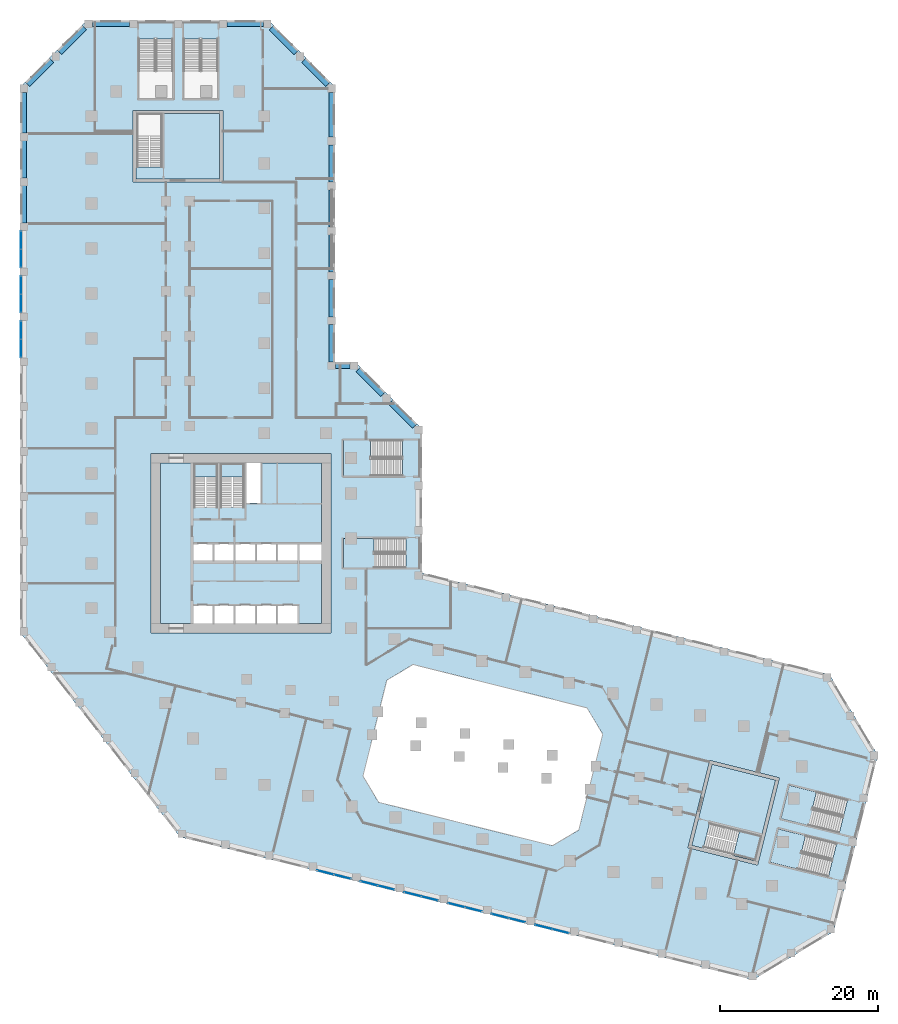
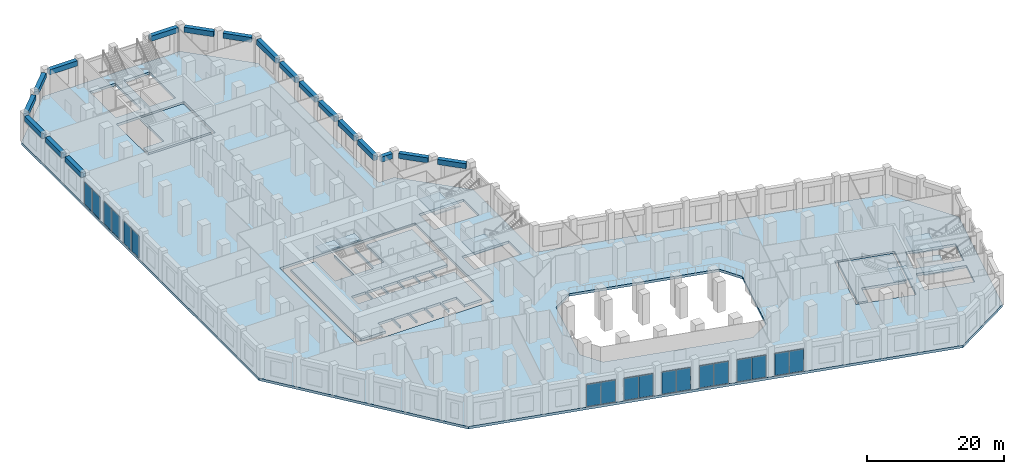
# One storey, part 7 of 23: 18 beams, 18 plates, 11 slabs, 16 elements without a shape of their own.
"""IFC4 building model written with IfcOpenShell, lengths in metres."""

from ifc_helpers import new_model, si_unit, direction, frame, origin, origin_2d, place, context, subcontext, project, spatial, polyline, rectangle, outline, extrude, material, layer, layer_set, material_profile, profile_set, type_object, element, aggregate, save


model = new_model("IFC4")

# Units and contexts
model_context = context("Model", 3, precision=1e-05, world=origin(), true_north=direction((0.0, 1.0)))
body_context = subcontext(model_context, "Body", "Model", "MODEL_VIEW")
ifc_project = project(units=[si_unit("LENGTHUNIT", "METRE"), si_unit("AREAUNIT", "SQUARE_METRE"), si_unit("VOLUMEUNIT", "CUBIC_METRE"), si_unit("PLANEANGLEUNIT", "RADIAN"), si_unit("MASSUNIT", "GRAM", prefix="KILO")], contexts=[model_context])

# Site, building, storey
site_placement = place(None, origin())
site = spatial("IfcSite", under=ifc_project, at=site_placement, CompositionType="ELEMENT")
building_placement = place(site_placement, origin())
building = spatial("IfcBuilding", under=site, at=building_placement, Name="Meshkara Civic Tower", CompositionType="ELEMENT")
storey_placement = place(building_placement, frame((0.0, 0.0, 7.199951171875)))
storey = spatial("IfcBuildingStorey", under=building, at=storey_placement, Name="L01", CompositionType="ELEMENT", Elevation=7.199951171875)

# Beams
ifc_material_1 = material(Name="Concrete C60", Category="concrete")
ifc_material_profile = material_profile(ifc_material_1, rectangle(XDim=0.699951171875, YDim=0.89990234375, at=origin_2d()))
ifc_profile_set = profile_set([ifc_material_profile], Name="Concrete C60")
beam_type = type_object("IfcBeamType", Name="Spandrel beam RC 700x900 C60", PredefinedType="BEAM", material=ifc_profile_set)
beam_1_placement = place(storey_placement, frame((30.403564453125, 83.652587890625, 4.5), z_axis=(-0.707135193312, 0.707078367919, 0.0), x_axis=(-0.707078367919, -0.707135193312, 0.0)))
element("IfcBeam", 1, at=beam_1_placement, inside=storey, type_object=beam_type, Name="Spandrel beam PD12-E-PD13-01", PredefinedType="BEAM", context=body_context, shape_type="SweptSolid", body=[
    extrude(rectangle(XDim=0.699951171875, YDim=0.89990234375, at=origin_2d()), origin(), (0.0, 0.0, 1.0), 4.29638671875),
])
beam_2_placement = place(storey_placement, frame((26.37255859375, 87.68359375, 4.5), z_axis=(-0.707134269933, 0.707079291371, 0.0), x_axis=(-0.707079291371, -0.707134269933, 0.0)))
element("IfcBeam", 2, at=beam_2_placement, inside=storey, type_object=beam_type, Name="Spandrel beam PD00-E-PD13-01", PredefinedType="BEAM", context=body_context, shape_type="SweptSolid", body=[
    extrude(rectangle(XDim=0.699951171875, YDim=0.89990234375, at=origin_2d()), origin(), (0.0, 0.0, 1.0), 4.440673828125),
])
beam_3_placement = place(storey_placement, frame((22.240966796875, 91.320068359375, 4.5), z_axis=(-1.0, 0.0, 0.0), x_axis=(0.0, -1.0, 0.0)))
element("IfcBeam", 3, at=beam_3_placement, inside=storey, type_object=beam_type, Name="Spandrel beam PD00-03-PD00-E", PredefinedType="BEAM", context=body_context, shape_type="SweptSolid", body=[
    extrude(rectangle(XDim=0.699951171875, YDim=0.89990234375, at=origin_2d()), origin(), (0.0, 0.0, 1.0), 4.58203125),
])
beam_4_placement = place(storey_placement, frame((5.26904296875, 91.320068359375, 4.5), z_axis=(-1.0, 0.0, 0.0), x_axis=(0.0, -1.0, 0.0)))
element("IfcBeam", 4, at=beam_4_placement, inside=storey, type_object=beam_type, Name="Spandrel beam PD00-00-PD00-01", PredefinedType="BEAM", context=body_context, shape_type="SweptSolid", body=[
    extrude(rectangle(XDim=0.699951171875, YDim=0.89990234375, at=origin_2d()), origin(), (0.0, 0.0, 1.0), 4.7099609375),
])
beam_5_placement = place(storey_placement, frame((-0.4326171875, 90.823486328125, 4.5), z_axis=(-0.707106781187, -0.707106781187, 0.0), x_axis=(0.707106781187, -0.707106781187, 0.0)))
element("IfcBeam", 5, at=beam_5_placement, inside=storey, type_object=beam_type, Name="Spandrel beam PD00-00-PD01-01", PredefinedType="BEAM", context=body_context, shape_type="SweptSolid", body=[
    extrude(rectangle(XDim=0.699951171875, YDim=0.89990234375, at=origin_2d()), origin(), (0.0, 0.0, 1.0), 4.4404296875),
])
beam_6_placement = place(storey_placement, frame((-4.5654296875, 86.6904296875, 4.5), z_axis=(-0.707135193312, -0.707078367919, 0.0), x_axis=(0.707078367919, -0.707135193312, 0.0)))
element("IfcBeam", 6, at=beam_6_placement, inside=storey, type_object=beam_type, Name="Spandrel beam PD01-00-PD01-01", PredefinedType="BEAM", context=body_context, shape_type="SweptSolid", body=[
    extrude(rectangle(XDim=0.699951171875, YDim=0.89990234375, at=origin_2d()), origin(), (0.0, 0.0, 1.0), 4.29638671875),
])
beam_7_placement = place(storey_placement, frame((-8.10009765625, 82.660888671875, 4.5), z_axis=(0.0, -1.0, 0.0), x_axis=(1.0, 0.0, 0.0)))
element("IfcBeam", 7, at=beam_7_placement, inside=storey, type_object=beam_type, Name="Spandrel beam PD01-00-PD02-11", PredefinedType="BEAM", context=body_context, shape_type="SweptSolid", body=[
    extrude(rectangle(XDim=0.699951171875, YDim=0.89990234375, at=origin_2d()), origin(), (0.0, 0.0, 1.0), 5.15478515625),
])
beam_8_placement = place(storey_placement, frame((-8.10009765625, 76.51611328125, 4.5), z_axis=(0.0, -1.0, 0.0), x_axis=(1.0, 0.0, 0.0)))
element("IfcBeam", 8, at=beam_8_placement, inside=storey, type_object=beam_type, Name="Spandrel beam PD02-10-PD02-11", PredefinedType="BEAM", context=body_context, shape_type="SweptSolid", body=[
    extrude(rectangle(XDim=0.699951171875, YDim=0.89990234375, at=origin_2d()), origin(), (0.0, 0.0, 1.0), 4.710205078125),
])
beam_9_placement = place(storey_placement, frame((-8.10009765625, 70.81591796875, 4.5), z_axis=(0.0, -1.0, 0.0), x_axis=(1.0, 0.0, 0.0)))
element("IfcBeam", 9, at=beam_9_placement, inside=storey, type_object=beam_type, Name="Spandrel beam PD02-09-PD02-10", PredefinedType="BEAM", context=body_context, shape_type="SweptSolid", body=[
    extrude(rectangle(XDim=0.699951171875, YDim=0.89990234375, at=origin_2d()), origin(), (0.0, 0.0, 1.0), 4.7099609375),
])
beam_10_placement = place(storey_placement, frame((41.403564453125, 40.33251953125, 4.5), z_axis=(-0.707106781187, 0.707106781187, 0.0), x_axis=(-0.707106781187, -0.707106781187, 0.0)))
element("IfcBeam", 10, at=beam_10_placement, inside=storey, type_object=beam_type, Name="Spandrel beam PD09-E-PD10-01", PredefinedType="BEAM", context=body_context, shape_type="SweptSolid", body=[
    extrude(rectangle(XDim=0.699951171875, YDim=0.89990234375, at=origin_2d()), origin(), (0.0, 0.0, 1.0), 4.29638671875),
])
beam_11_placement = place(storey_placement, frame((37.37255859375, 44.363525390625, 4.5), z_axis=(-0.707134269933, 0.707079291371, 0.0), x_axis=(-0.707079291371, -0.707134269933, 0.0)))
element("IfcBeam", 11, at=beam_11_placement, inside=storey, type_object=beam_type, Name="Spandrel beam PD10-01-PD10-E", PredefinedType="BEAM", context=body_context, shape_type="SweptSolid", body=[
    extrude(rectangle(XDim=0.699951171875, YDim=0.89990234375, at=origin_2d()), origin(), (0.0, 0.0, 1.0), 4.440673828125),
])
beam_12_placement = place(storey_placement, frame((33.240966796875, 48.0, 4.5), z_axis=(-1.0, 0.0, 0.0), x_axis=(0.0, -1.0, 0.0)))
element("IfcBeam", 12, at=beam_12_placement, inside=storey, type_object=beam_type, Name="Spandrel beam PD10-E-PD11-00", PredefinedType="BEAM", context=body_context, shape_type="SweptSolid", body=[
    extrude(rectangle(XDim=0.699951171875, YDim=0.89990234375, at=origin_2d()), origin(), (0.0, 0.0, 1.0), 1.845947265625),
])
for number, where, z_axis, x_axis, name in (
    (13, (30.89990234375, 48.4951171875, 4.5), (0.0, 1.0, 0.0), (-1.0, 0.0, 0.0), "Spandrel beam PD11-00-PD12-01"),
    (14, (30.89990234375, 54.195068359375, 4.5), (0.0, 1.0, 0.0), (-1.0, 0.0, 0.0), "Spandrel beam PD12-01-PD12-02"),
    (15, (30.89990234375, 59.89501953125, 4.5), (0.0, 1.0, 0.0), (-1.0, 0.0, 0.0), "Spandrel beam PD12-02-PD12-03"),
    (16, (30.89990234375, 65.594970703125, 4.5), (0.0, 1.0, 0.0), (-1.0, 0.0, 0.0), "Spandrel beam PD12-03-PD12-04"),
    (17, (30.89990234375, 71.294921875, 4.5), (0.0, 1.0, 0.0), (-1.0, 0.0, 0.0), "Spandrel beam PD12-04-PD12-05"),
):
    element("IfcBeam", number, at=place(storey_placement, frame(where, z_axis=z_axis, x_axis=x_axis)), inside=storey, type_object=beam_type, Name=name, PredefinedType="BEAM", context=body_context, shape_type="SweptSolid", body=[
        extrude(rectangle(XDim=0.699951171875, YDim=0.89990234375, at=origin_2d()), origin(), (0.0, 0.0, 1.0), 4.7099609375),
    ])
beam_13_placement = place(storey_placement, frame((30.89990234375, 76.9951171875, 4.5), z_axis=(0.0, 1.0, 0.0), x_axis=(-1.0, 0.0, 0.0)))
element("IfcBeam", 18, at=beam_13_placement, inside=storey, type_object=beam_type, Name="Spandrel beam PD12-05-PD12-E", PredefinedType="BEAM", context=body_context, shape_type="SweptSolid", body=[
    extrude(rectangle(XDim=0.699951171875, YDim=0.89990234375, at=origin_2d()), origin(), (0.0, 0.0, 1.0), 5.665771484375),
])

# Curtain wall, plates
ifc_material_2 = material(Name="Tinted double glazing", Category="glass")
curtain_wall_type_1 = type_object("IfcCurtainWallType", Name="CW POOL PAVILION AND FOYER", PredefinedType="NOTDEFINED", material=ifc_material_2)
curtain_wall_1_placement = place(storey_placement, origin())
curtain_wall_1 = element("IfcCurtainWall", 19, at=curtain_wall_1_placement, inside=storey, type_object=curtain_wall_type_1, Name="Curtain wall CW4", PredefinedType="NOTDEFINED")
ifc_material_3 = material(Name="Tinted double glazing", Category="glass")
ifc_layer_1 = layer(ifc_material_3, 0.028076171875)
ifc_layer_set_1 = layer_set([ifc_layer_1], Name="CW PANEL IGU 28")
plate_type = type_object("IfcPlateType", Name="CW PANEL IGU 28", PredefinedType="CURTAIN_PANEL", material=ifc_layer_set_1)
plate_1_placement = place(storey_placement, frame((-8.469970703125, 63.9208984375, 0.06005859375), z_axis=(0.0, 0.0, 1.0), x_axis=(0.0, -1.0, 0.0)))
plate_1 = element("IfcPlate", 20, at=plate_1_placement, type_object=plate_type, Name="CW4 panel 1.1", PredefinedType="CURTAIN_PANEL", context=body_context, shape_type="SweptSolid", body=[
    extrude(rectangle(XDim=2.260009765625, YDim=0.028076171875, at=origin_2d()), origin(), (0.0, 0.0, 1.0), 3.929931640625),
])
plate_2_placement = place(storey_placement, frame((-8.469970703125, 61.60107421875, 0.06005859375), z_axis=(0.0, 0.0, 1.0), x_axis=(0.0, -1.0, 0.0)))
plate_2 = element("IfcPlate", 21, at=plate_2_placement, type_object=plate_type, Name="CW4 panel 2.1", PredefinedType="CURTAIN_PANEL", context=body_context, shape_type="SweptSolid", body=[
    extrude(rectangle(XDim=2.260009765625, YDim=0.028076171875, at=origin_2d()), origin(), (0.0, 0.0, 1.0), 3.929931640625),
])
aggregate(curtain_wall_1, [plate_1, plate_2])

curtain_wall_2_placement = place(storey_placement, origin())
curtain_wall_2 = element("IfcCurtainWall", 22, at=curtain_wall_2_placement, inside=storey, type_object=curtain_wall_type_1, Name="Curtain wall CW4", PredefinedType="NOTDEFINED")
plate_3_placement = place(storey_placement, frame((-8.469970703125, 58.220947265625, 0.06005859375), z_axis=(0.0, 0.0, 1.0), x_axis=(0.0, -1.0, 0.0)))
plate_3 = element("IfcPlate", 23, at=plate_3_placement, type_object=plate_type, Name="CW4 panel 1.1", PredefinedType="CURTAIN_PANEL", context=body_context, shape_type="SweptSolid", body=[
    extrude(rectangle(XDim=2.260009765625, YDim=0.028076171875, at=origin_2d()), origin(), (0.0, 0.0, 1.0), 3.929931640625),
])
plate_4_placement = place(storey_placement, frame((-8.469970703125, 55.90087890625, 0.06005859375), z_axis=(0.0, 0.0, 1.0), x_axis=(0.0, -1.0, 0.0)))
plate_4 = element("IfcPlate", 24, at=plate_4_placement, type_object=plate_type, Name="CW4 panel 2.1", PredefinedType="CURTAIN_PANEL", context=body_context, shape_type="SweptSolid", body=[
    extrude(rectangle(XDim=2.260009765625, YDim=0.028076171875, at=origin_2d()), origin(), (0.0, 0.0, 1.0), 3.929931640625),
])
aggregate(curtain_wall_2, [plate_3, plate_4])

curtain_wall_3_placement = place(storey_placement, origin())
curtain_wall_3 = element("IfcCurtainWall", 25, at=curtain_wall_3_placement, inside=storey, type_object=curtain_wall_type_1, Name="Curtain wall CW4", PredefinedType="NOTDEFINED")
plate_5_placement = place(storey_placement, frame((-8.469970703125, 52.52099609375, 0.06005859375), z_axis=(0.0, 0.0, 1.0), x_axis=(0.0, -1.0, 0.0)))
plate_5 = element("IfcPlate", 26, at=plate_5_placement, type_object=plate_type, Name="CW4 panel 1.1", PredefinedType="CURTAIN_PANEL", context=body_context, shape_type="SweptSolid", body=[
    extrude(rectangle(XDim=2.260009765625, YDim=0.028076171875, at=origin_2d()), origin(), (0.0, 0.0, 1.0), 3.929931640625),
])
plate_6_placement = place(storey_placement, frame((-8.469970703125, 50.200927734375, 0.06005859375), z_axis=(0.0, 0.0, 1.0), x_axis=(0.0, -1.0, 0.0)))
plate_6 = element("IfcPlate", 27, at=plate_6_placement, type_object=plate_type, Name="CW4 panel 2.1", PredefinedType="CURTAIN_PANEL", context=body_context, shape_type="SweptSolid", body=[
    extrude(rectangle(XDim=2.260009765625, YDim=0.028076171875, at=origin_2d()), origin(), (0.0, 0.0, 1.0), 3.929931640625),
])
aggregate(curtain_wall_3, [plate_5, plate_6])

ifc_material_4 = material(Name="Tinted double glazing", Category="glass")
curtain_wall_type_2 = type_object("IfcCurtainWallType", Name="CW SERVICE HALL FRONT", PredefinedType="NOTDEFINED", material=ifc_material_4)
curtain_wall_4_placement = place(storey_placement, origin())
curtain_wall_4 = element("IfcCurtainWall", 28, at=curtain_wall_4_placement, inside=storey, type_object=curtain_wall_type_2, Name="Curtain wall CW1", PredefinedType="NOTDEFINED")
plate_7_placement = place(storey_placement, frame((30.1201171875, -16.239013671875, 0.06005859375), z_axis=(0.0, 0.0, 1.0), x_axis=(0.970273444594, -0.24201124502, 0.0)))
plate_7 = element("IfcPlate", 29, at=plate_7_placement, type_object=plate_type, Name="CW1 panel 1.1", PredefinedType="CURTAIN_PANEL", context=body_context, shape_type="SweptSolid", body=[
    extrude(rectangle(XDim=2.15380859375, YDim=0.028076171875, at=origin_2d()), origin(), (0.0, 0.0, 1.0), 3.929931640625),
])
plate_8_placement = place(storey_placement, frame((32.26806640625, -16.77490234375, 0.06005859375), z_axis=(0.0, 0.0, 1.0), x_axis=(0.970273444594, -0.24201124502, 0.0)))
plate_8 = element("IfcPlate", 30, at=plate_8_placement, type_object=plate_type, Name="CW1 panel 2.1", PredefinedType="CURTAIN_PANEL", context=body_context, shape_type="SweptSolid", body=[
    extrude(rectangle(XDim=2.15380859375, YDim=0.028076171875, at=origin_2d()), origin(), (0.0, 0.0, 1.0), 3.929931640625),
])
aggregate(curtain_wall_4, [plate_7, plate_8])

curtain_wall_5_placement = place(storey_placement, origin())
curtain_wall_5 = element("IfcCurtainWall", 31, at=curtain_wall_5_placement, inside=storey, type_object=curtain_wall_type_2, Name="Curtain wall CW1", PredefinedType="NOTDEFINED")
plate_9_placement = place(storey_placement, frame((35.651123046875, -17.6181640625, 0.06005859375), z_axis=(0.0, 0.0, 1.0), x_axis=(0.970273444594, -0.24201124502, 0.0)))
plate_9 = element("IfcPlate", 32, at=plate_9_placement, type_object=plate_type, Name="CW1 panel 1.1", PredefinedType="CURTAIN_PANEL", context=body_context, shape_type="SweptSolid", body=[
    extrude(rectangle(XDim=2.15380859375, YDim=0.028076171875, at=origin_2d()), origin(), (0.0, 0.0, 1.0), 3.929931640625),
])
plate_10_placement = place(storey_placement, frame((37.798828125, -18.15380859375, 0.06005859375), z_axis=(0.0, 0.0, 1.0), x_axis=(0.970273444594, -0.24201124502, 0.0)))
plate_10 = element("IfcPlate", 33, at=plate_10_placement, type_object=plate_type, Name="CW1 panel 2.1", PredefinedType="CURTAIN_PANEL", context=body_context, shape_type="SweptSolid", body=[
    extrude(rectangle(XDim=2.15380859375, YDim=0.028076171875, at=origin_2d()), origin(), (0.0, 0.0, 1.0), 3.929931640625),
])
aggregate(curtain_wall_5, [plate_9, plate_10])

curtain_wall_6_placement = place(storey_placement, origin())
curtain_wall_6 = element("IfcCurtainWall", 34, at=curtain_wall_6_placement, inside=storey, type_object=curtain_wall_type_2, Name="Curtain wall CW1", PredefinedType="NOTDEFINED")
plate_11_placement = place(storey_placement, frame((41.18115234375, -18.9970703125, 0.06005859375), z_axis=(0.0, 0.0, 1.0), x_axis=(0.970273444594, -0.24201124502, 0.0)))
plate_11 = element("IfcPlate", 35, at=plate_11_placement, type_object=plate_type, Name="CW1 panel 1.1", PredefinedType="CURTAIN_PANEL", context=body_context, shape_type="SweptSolid", body=[
    extrude(rectangle(XDim=2.15380859375, YDim=0.028076171875, at=origin_2d()), origin(), (0.0, 0.0, 1.0), 3.929931640625),
])
plate_12_placement = place(storey_placement, frame((43.328857421875, -19.532958984375, 0.06005859375), z_axis=(0.0, 0.0, 1.0), x_axis=(0.970273444594, -0.24201124502, 0.0)))
plate_12 = element("IfcPlate", 36, at=plate_12_placement, type_object=plate_type, Name="CW1 panel 2.1", PredefinedType="CURTAIN_PANEL", context=body_context, shape_type="SweptSolid", body=[
    extrude(rectangle(XDim=2.15380859375, YDim=0.028076171875, at=origin_2d()), origin(), (0.0, 0.0, 1.0), 3.929931640625),
])
aggregate(curtain_wall_6, [plate_11, plate_12])

curtain_wall_7_placement = place(storey_placement, origin())
curtain_wall_7 = element("IfcCurtainWall", 37, at=curtain_wall_7_placement, inside=storey, type_object=curtain_wall_type_2, Name="Curtain wall CW1", PredefinedType="NOTDEFINED")
plate_13_placement = place(storey_placement, frame((46.712158203125, -20.376220703125, 0.06005859375), z_axis=(0.0, 0.0, 1.0), x_axis=(0.970273444594, -0.24201124502, 0.0)))
plate_13 = element("IfcPlate", 38, at=plate_13_placement, type_object=plate_type, Name="CW1 panel 1.1", PredefinedType="CURTAIN_PANEL", context=body_context, shape_type="SweptSolid", body=[
    extrude(rectangle(XDim=2.15380859375, YDim=0.028076171875, at=origin_2d()), origin(), (0.0, 0.0, 1.0), 3.929931640625),
])
plate_14_placement = place(storey_placement, frame((48.85986328125, -20.911865234375, 0.06005859375), z_axis=(0.0, 0.0, 1.0), x_axis=(0.970273444594, -0.24201124502, 0.0)))
plate_14 = element("IfcPlate", 39, at=plate_14_placement, type_object=plate_type, Name="CW1 panel 2.1", PredefinedType="CURTAIN_PANEL", context=body_context, shape_type="SweptSolid", body=[
    extrude(rectangle(XDim=2.15380859375, YDim=0.028076171875, at=origin_2d()), origin(), (0.0, 0.0, 1.0), 3.929931640625),
])
aggregate(curtain_wall_7, [plate_13, plate_14])

curtain_wall_8_placement = place(storey_placement, origin())
curtain_wall_8 = element("IfcCurtainWall", 40, at=curtain_wall_8_placement, inside=storey, type_object=curtain_wall_type_2, Name="Curtain wall CW1", PredefinedType="NOTDEFINED")
plate_15_placement = place(storey_placement, frame((52.2431640625, -21.755126953125, 0.06005859375), z_axis=(0.0, 0.0, 1.0), x_axis=(0.970273444594, -0.24201124502, 0.0)))
plate_15 = element("IfcPlate", 41, at=plate_15_placement, type_object=plate_type, Name="CW1 panel 1.1", PredefinedType="CURTAIN_PANEL", context=body_context, shape_type="SweptSolid", body=[
    extrude(rectangle(XDim=2.15380859375, YDim=0.028076171875, at=origin_2d()), origin(), (0.0, 0.0, 1.0), 3.929931640625),
])
plate_16_placement = place(storey_placement, frame((54.390869140625, -22.290771484375, 0.06005859375), z_axis=(0.0, 0.0, 1.0), x_axis=(0.970273444594, -0.24201124502, 0.0)))
plate_16 = element("IfcPlate", 42, at=plate_16_placement, type_object=plate_type, Name="CW1 panel 2.1", PredefinedType="CURTAIN_PANEL", context=body_context, shape_type="SweptSolid", body=[
    extrude(rectangle(XDim=2.15380859375, YDim=0.028076171875, at=origin_2d()), origin(), (0.0, 0.0, 1.0), 3.929931640625),
])
aggregate(curtain_wall_8, [plate_15, plate_16])

curtain_wall_9_placement = place(storey_placement, origin())
curtain_wall_9 = element("IfcCurtainWall", 43, at=curtain_wall_9_placement, inside=storey, type_object=curtain_wall_type_2, Name="Curtain wall CW1", PredefinedType="NOTDEFINED")
plate_17_placement = place(storey_placement, frame((57.77392578125, -23.1337890625, 0.06005859375), z_axis=(0.0, 0.0, 1.0), x_axis=(0.970312718585, -0.241853732973, 0.0)))
plate_17 = element("IfcPlate", 44, at=plate_17_placement, type_object=plate_type, Name="CW1 panel 1.1", PredefinedType="CURTAIN_PANEL", context=body_context, shape_type="SweptSolid", body=[
    extrude(rectangle(XDim=2.153076171875, YDim=0.028076171875, at=origin_2d()), origin(), (0.0, 0.0, 1.0), 3.929931640625),
])
plate_18_placement = place(storey_placement, frame((59.921142578125, -23.669189453125, 0.06005859375), z_axis=(0.0, 0.0, 1.0), x_axis=(0.970312718585, -0.241853732973, 0.0)))
plate_18 = element("IfcPlate", 45, at=plate_18_placement, type_object=plate_type, Name="CW1 panel 2.1", PredefinedType="CURTAIN_PANEL", context=body_context, shape_type="SweptSolid", body=[
    extrude(rectangle(XDim=2.153076171875, YDim=0.028076171875, at=origin_2d()), origin(), (0.0, 0.0, 1.0), 3.929931640625),
])
aggregate(curtain_wall_9, [plate_17, plate_18])

# Slabs
ifc_material_5 = material(Name="Concrete C40/50", Category="concrete")
ifc_layer_2 = layer(ifc_material_5, 0.449951171875)
ifc_layer_set_2 = layer_set([ifc_layer_2], Name="Core floor slab 450 C40/50")
slab_type_1 = type_object("IfcSlabType", Name="Core floor slab 450 C40/50", PredefinedType="FLOOR", material=ifc_layer_set_2)
slab_1_placement = place(storey_placement, frame((0.0, 0.0, -0.449951171875)))
element("IfcSlab", 46, at=slab_1_placement, inside=storey, type_object=slab_type_1, Name="Core floor K", PredefinedType="FLOOR", context=body_context, shape_type="SweptSolid", body=[
    extrude(outline(polyline([(9.199951171875, 35.699951171875), (13.39990234375, 35.699951171875), (13.39990234375, 30.00146484375), (16.5, 30.00146484375), (16.5, 35.699951171875), (16.699951171875, 35.699951171875), (16.699951171875, 30.00146484375), (19.89990234375, 30.00146484375), (19.89990234375, 35.699951171875), (20.10009765625, 35.699951171875), (20.10009765625, 30.574951171875), (21.925048828125, 30.574951171875), (21.925048828125, 35.699951171875), (29.60009765625, 35.699951171875), (29.60009765625, 25.39990234375), (26.800048828125, 25.39990234375), (26.800048828125, 23.300048828125), (29.60009765625, 23.300048828125), (29.60009765625, 15.300048828125), (26.60009765625, 15.300048828125), (26.60009765625, 17.60009765625), (24.10009765625, 17.60009765625), (24.10009765625, 15.300048828125), (23.89990234375, 15.300048828125), (23.89990234375, 17.60009765625), (21.39990234375, 17.60009765625), (21.39990234375, 15.300048828125), (21.199951171875, 15.300048828125), (21.199951171875, 17.60009765625), (18.699951171875, 17.60009765625), (18.699951171875, 15.300048828125), (18.5, 15.300048828125), (18.5, 17.60009765625), (16.0, 17.60009765625), (16.0, 15.300048828125), (15.800048828125, 15.300048828125), (15.800048828125, 17.60009765625), (13.39990234375, 17.60009765625), (13.39990234375, 15.300048828125), (9.199951171875, 15.300048828125), (9.199951171875, 35.699951171875)]), holes=[polyline([(13.39990234375, 25.39990234375), (13.39990234375, 23.300048828125), (15.800048828125, 23.300048828125), (15.800048828125, 25.39990234375), (13.39990234375, 25.39990234375)]), polyline([(18.5, 23.300048828125), (18.5, 25.39990234375), (16.0, 25.39990234375), (16.0, 23.300048828125), (18.5, 23.300048828125)]), polyline([(18.699951171875, 25.39990234375), (18.699951171875, 23.300048828125), (21.199951171875, 23.300048828125), (21.199951171875, 25.39990234375), (18.699951171875, 25.39990234375)]), polyline([(23.89990234375, 23.300048828125), (23.89990234375, 25.39990234375), (21.39990234375, 25.39990234375), (21.39990234375, 23.300048828125), (23.89990234375, 23.300048828125)]), polyline([(26.60009765625, 23.300048828125), (26.60009765625, 25.39990234375), (24.10009765625, 25.39990234375), (24.10009765625, 23.300048828125), (26.60009765625, 23.300048828125)])]), origin(), (0.0, 0.0, 1.0), 0.449951171875),
])
slab_2_placement = place(storey_placement, frame((0.0, 0.0, -0.449951171875)))
element("IfcSlab", 47, at=slab_2_placement, inside=storey, type_object=slab_type_1, Name="Core floor EA", PredefinedType="FLOOR", context=body_context, shape_type="SweptSolid", body=[
    extrude(outline(polyline([(16.699951171875, 71.669921875), (16.699951171875, 79.969970703125), (9.5, 79.969970703125), (9.5, 73.17138671875), (6.10009765625, 73.17138671875), (6.10009765625, 71.669921875), (16.699951171875, 71.669921875)])), origin(), (0.0, 0.0, 1.0), 0.449951171875),
])
slab_3_placement = place(storey_placement, frame((0.0, 0.0, -0.449951171875)))
element("IfcSlab", 48, at=slab_3_placement, inside=storey, type_object=slab_type_1, Name="Core floor EB", PredefinedType="FLOOR", context=body_context, shape_type="SweptSolid", body=[
    extrude(outline(polyline([(79.11181640625, -2.513671875), (87.165283203125, -4.521484375), (85.423583984375, -11.507568359375), (78.826904296875, -9.863037109375), (78.00439453125, -13.161865234375), (76.547607421875, -12.798583984375), (79.11181640625, -2.513671875)])), origin(), (0.0, 0.0, 1.0), 0.449951171875),
])

# Stair, slab
ifc_material_6 = material(Name="Precast concrete C40/50", Category="concrete")
stair_type_1 = type_object("IfcStairType", Name="Exit stair half-turn 30 risers precast", PredefinedType="HALF_TURN_STAIR", material=ifc_material_6)
stair_1_placement = place(storey_placement, origin())
stair_1 = element("IfcStair", 49, at=stair_1_placement, inside=storey, type_object=stair_type_1, Name="L01 exit stair 1", PredefinedType="HALF_TURN_STAIR")
ifc_material_7 = material(Name="Precast concrete C40/50", Category="concrete")
ifc_layer_3 = layer(ifc_material_7, 0.199951171875)
ifc_layer_set_3 = layer_set([ifc_layer_3], Name="Exit stair landing 200")
slab_type_2 = type_object("IfcSlabType", Name="Exit stair landing 200", PredefinedType="LANDING", material=ifc_layer_set_3)
slab_4_placement = place(storey_placement, frame((0.0, 0.0, 2.5)))
slab_4 = element("IfcSlab", 50, at=slab_4_placement, type_object=slab_type_2, Name="ST1 landing 1", PredefinedType="LANDING", context=body_context, shape_type="SweptSolid", body=[
    extrude(outline(polyline([(16.5, 33.91845703125), (16.5, 35.699951171875), (13.39990234375, 35.699951171875), (13.39990234375, 33.91845703125), (16.5, 33.91845703125)])), origin(), (0.0, 0.0, 1.0), 0.199951171875),
])
aggregate(stair_1, [slab_4])

stair_2_placement = place(storey_placement, origin())
stair_2 = element("IfcStair", 51, at=stair_2_placement, inside=storey, type_object=stair_type_1, Name="L01 exit stair 2", PredefinedType="HALF_TURN_STAIR")
slab_5_placement = place(storey_placement, frame((0.0, 0.0, 2.5)))
slab_5 = element("IfcSlab", 52, at=slab_5_placement, type_object=slab_type_2, Name="ST2 landing 1", PredefinedType="LANDING", context=body_context, shape_type="SweptSolid", body=[
    extrude(outline(polyline([(19.89990234375, 33.91845703125), (19.89990234375, 35.699951171875), (16.699951171875, 35.699951171875), (16.699951171875, 33.91845703125), (19.89990234375, 33.91845703125)])), origin(), (0.0, 0.0, 1.0), 0.199951171875),
])
aggregate(stair_2, [slab_5])

ifc_material_8 = material(Name="Precast concrete C40/50", Category="concrete")
stair_type_2 = type_object("IfcStairType", Name="Exit stair half-turn 30 risers 1500 precast", PredefinedType="HALF_TURN_STAIR", material=ifc_material_8)
stair_3_placement = place(storey_placement, origin())
stair_3 = element("IfcStair", 53, at=stair_3_placement, inside=storey, type_object=stair_type_2, Name="L01 exit stair B from B2", PredefinedType="HALF_TURN_STAIR")
slab_6_placement = place(storey_placement, frame((0.0, 0.0, 2.5)))
slab_6 = element("IfcSlab", 54, at=slab_6_placement, type_object=slab_type_2, Name="ESB1 landing 1", PredefinedType="LANDING", context=body_context, shape_type="SweptSolid", body=[
    extrude(outline(polyline([(81.8046875, -14.110595703125), (84.600830078125, -14.80810546875), (85.424072265625, -11.50830078125), (82.6279296875, -10.810791015625), (81.8046875, -14.110595703125)])), origin(), (0.0, 0.0, 1.0), 0.199951171875),
])
aggregate(stair_3, [slab_6])

# Slab
ifc_material_9 = material(Name="Concrete C50", Category="concrete")
ifc_layer_4 = layer(ifc_material_9, 0.449951171875)
ifc_layer_set_4 = layer_set([ifc_layer_4], Name="Podium floor slab 450 C50")
slab_type_3 = type_object("IfcSlabType", Name="Podium floor slab 450 C50", PredefinedType="FLOOR", material=ifc_layer_set_4)
slab_7_placement = place(storey_placement, frame((0.0, 0.0, -0.449951171875)))
element("IfcSlab", 55, at=slab_7_placement, inside=storey, type_object=slab_type_3, Name="Podium floor slab L01", PredefinedType="FLOOR", context=body_context, shape_type="SweptSolid", body=[
    extrude(outline(polyline([(33.922119140625, 48.449951171875), (42.35009765625, 40.02197265625), (42.35009765625, 21.7509765625), (93.97998046875, 8.876953125), (100.1201171875, -1.339111328125), (94.544921875, -23.697998046875), (84.327880859375, -29.8369140625), (11.6669921875, -11.720947265625), (-8.550048828125, 14.156005859375), (-8.550048828125, 83.342041015625), (-0.1220703125, 91.77001953125), (22.922119140625, 91.77001953125), (31.35009765625, 83.342041015625), (31.35009765625, 48.449951171875), (33.922119140625, 48.449951171875)]), holes=[polyline([(30.800048828125, 14.10009765625), (30.800048828125, 36.89990234375), (8.0, 36.89990234375), (8.0, 14.10009765625), (30.800048828125, 14.10009765625)]), polyline([(32.40087890625, 34.02490234375), (39.89892578125, 34.02490234375), (39.89892578125, 38.574951171875), (32.40087890625, 38.574951171875), (32.40087890625, 34.02490234375)]), polyline([(5.699951171875, 80.3701171875), (5.699951171875, 71.27001953125), (17.10009765625, 71.27001953125), (17.10009765625, 80.3701171875), (5.699951171875, 80.3701171875)]), polyline([(10.784912109375, 81.821044921875), (10.784912109375, 89.4189453125), (6.43505859375, 89.4189453125), (6.43505859375, 81.821044921875), (10.784912109375, 81.821044921875)]), polyline([(16.485107421875, 89.4189453125), (12.135009765625, 89.4189453125), (12.135009765625, 81.821044921875), (16.485107421875, 81.821044921875), (16.485107421875, 89.4189453125)]), polyline([(86.477783203125, -14.929443359375), (93.85009765625, -16.767578125), (94.90234375, -12.546630859375), (87.530029296875, -10.70849609375), (86.477783203125, -14.929443359375)]), polyline([(87.64990234375, -4.22998046875), (78.821044921875, -2.029052734375), (76.06298828125, -13.090087890625), (84.89208984375, -15.2919921875), (87.64990234375, -4.22998046875)]), polyline([(87.856689453125, -9.3984375), (95.22900390625, -11.236572265625), (96.281494140625, -7.015625), (88.9091796875, -5.177490234375), (87.856689453125, -9.3984375)]), polyline([(34.864990234375, -4.010986328125), (36.863037109375, -7.3359375), (58.903076171875, -12.8310546875), (62.22802734375, -10.833984375), (65.2548828125, 1.31005859375), (63.258056640625, 4.635009765625), (41.218017578125, 10.12890625), (37.89306640625, 8.132080078125), (34.864990234375, -4.010986328125)]), polyline([(32.40087890625, 22.375), (40.299072265625, 22.375), (40.299072265625, 26.125), (32.40087890625, 26.125), (32.40087890625, 22.375)])]), origin(), (0.0, 0.0, 1.0), 0.449951171875),
])

# Stair, slab
ifc_material_10 = material(Name="Precast concrete C40/50", Category="concrete")
stair_type_3 = type_object("IfcStairType", Name="Podium exit stair half-turn 30 risers 2100 wide precast", PredefinedType="HALF_TURN_STAIR", material=ifc_material_10)
stair_4_placement = place(storey_placement, origin())
stair_4 = element("IfcStair", 56, at=stair_4_placement, inside=storey, type_object=stair_type_3, Name="L01 podium exit stair PS3", PredefinedType="HALF_TURN_STAIR")
ifc_material_11 = material(Name="Precast concrete C40/50", Category="concrete")
ifc_layer_5 = layer(ifc_material_11, 0.199951171875)
ifc_layer_set_5 = layer_set([ifc_layer_5], Name="Podium stair landing 200")
slab_type_4 = type_object("IfcSlabType", Name="Podium stair landing 200", PredefinedType="LANDING", material=ifc_layer_set_5)
slab_8_placement = place(storey_placement, frame((0.0, 0.0, 2.5)))
slab_8 = element("IfcSlab", 57, at=slab_8_placement, type_object=slab_type_4, Name="PS3 landing 1", PredefinedType="LANDING", context=body_context, shape_type="SweptSolid", body=[
    extrude(outline(polyline([(91.389892578125, -13.98974609375), (90.8818359375, -16.027587890625), (86.467041015625, -14.9267578125), (87.519287109375, -10.705810546875), (90.9736328125, -11.567138671875), (90.429443359375, -13.750244140625), (91.389892578125, -13.98974609375)])), origin(), (0.0, 0.0, 1.0), 0.199951171875),
])
aggregate(stair_4, [slab_8])

stair_5_placement = place(storey_placement, origin())
stair_5 = element("IfcStair", 58, at=stair_5_placement, inside=storey, type_object=stair_type_3, Name="L01 podium exit stair PS4", PredefinedType="HALF_TURN_STAIR")
slab_9_placement = place(storey_placement, frame((0.0, 0.0, 2.5)))
slab_9 = element("IfcSlab", 59, at=slab_9_placement, type_object=slab_type_4, Name="PS4 landing 1", PredefinedType="LANDING", context=body_context, shape_type="SweptSolid", body=[
    extrude(outline(polyline([(92.768798828125, -8.458740234375), (92.260986328125, -10.49658203125), (87.84619140625, -9.395751953125), (88.8984375, -5.1748046875), (92.352783203125, -6.0361328125), (91.808349609375, -8.21923828125), (92.768798828125, -8.458740234375)])), origin(), (0.0, 0.0, 1.0), 0.199951171875),
])
aggregate(stair_5, [slab_9])

ifc_material_12 = material(Name="Precast concrete C40/50", Category="concrete")
stair_type_4 = type_object("IfcStairType", Name="Podium exit stair half-turn 30 risers 1800 wide precast", PredefinedType="HALF_TURN_STAIR", material=ifc_material_12)
stair_6_placement = place(storey_placement, origin())
stair_6 = element("IfcStair", 60, at=stair_6_placement, inside=storey, type_object=stair_type_4, Name="L01 podium exit stair PS5", PredefinedType="HALF_TURN_STAIR")
slab_10_placement = place(storey_placement, frame((0.0, 0.0, 2.5)))
slab_10 = element("IfcSlab", 61, at=slab_10_placement, type_object=slab_type_4, Name="PS5 landing 1", PredefinedType="LANDING", context=body_context, shape_type="SweptSolid", body=[
    extrude(outline(polyline([(37.239990234375, 24.175048828125), (37.239990234375, 22.375), (32.389892578125, 22.375), (32.389892578125, 26.125), (36.25, 26.125), (36.25, 24.175048828125), (37.239990234375, 24.175048828125)])), origin(), (0.0, 0.0, 1.0), 0.199951171875),
])
aggregate(stair_6, [slab_10])

ifc_material_13 = material(Name="Precast concrete C40/50", Category="concrete")
stair_type_5 = type_object("IfcStairType", Name="Podium exit stair half-turn 30 risers 2200 wide precast", PredefinedType="HALF_TURN_STAIR", material=ifc_material_13)
stair_7_placement = place(storey_placement, origin())
stair_7 = element("IfcStair", 62, at=stair_7_placement, inside=storey, type_object=stair_type_5, Name="L01 podium exit stair PS6", PredefinedType="HALF_TURN_STAIR")
slab_11_placement = place(storey_placement, frame((0.0, 0.0, 2.5)))
slab_11 = element("IfcSlab", 63, at=slab_11_placement, type_object=slab_type_4, Name="PS6 landing 1", PredefinedType="LANDING", context=body_context, shape_type="SweptSolid", body=[
    extrude(outline(polyline([(36.840087890625, 36.22509765625), (36.840087890625, 34.02490234375), (32.389892578125, 34.02490234375), (32.389892578125, 38.574951171875), (35.85009765625, 38.574951171875), (35.85009765625, 36.22509765625), (36.840087890625, 36.22509765625)])), origin(), (0.0, 0.0, 1.0), 0.199951171875),
])
aggregate(stair_7, [slab_11])

save(model, "model.ifc")
